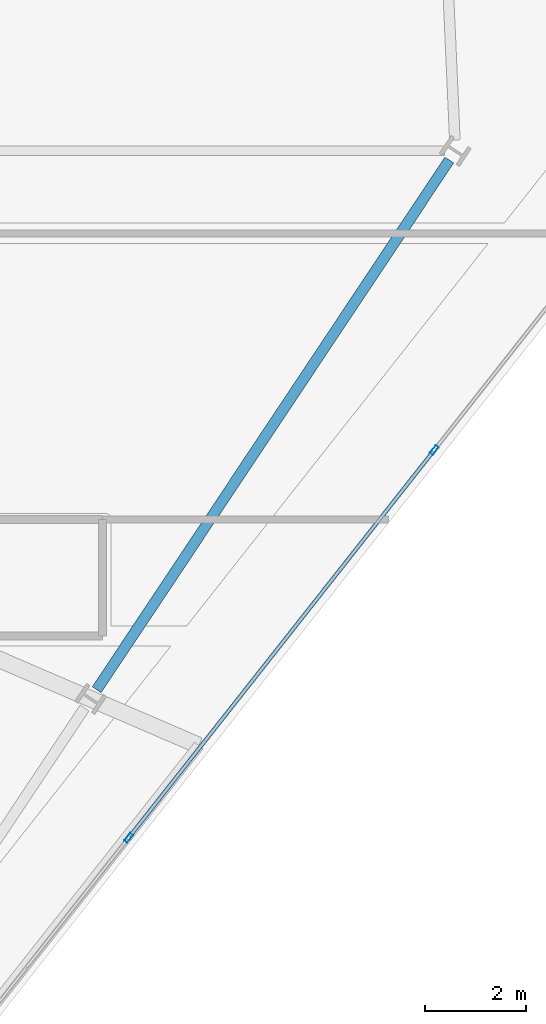
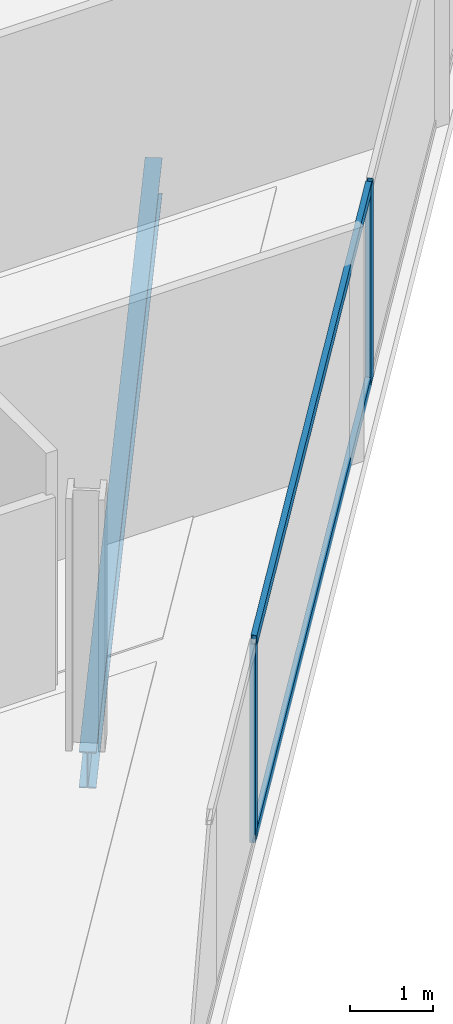
# One storey, part 11 of 28: 4 members, 1 beam, 1 element without a shape of its own.
"""IFC4 building model written with IfcOpenShell, lengths in metres."""

import ifcopenshell
import ifcopenshell.guid

model = None  # the IFC model being written
_history = None  # IfcOwnerHistory: only IFC2X3 demands one
_inside = {}  # id of a spatial element -> (the spatial element, [elements in it])
_under = {}  # id of a project, library or spatial element -> (it, [spatial elements below it])
_declared = {}  # id of a project -> (the project, [libraries it declares])
_typed = {}  # id of a type object -> (the type object, [elements of that type])
_made_of = {}  # id of a material, layer set ... -> (it, [elements and type objects made of it])


def new_model(schema):
    """Start an empty IFC model of exactly this schema.

    Asked for "IFC4X3", IfcOpenShell would pick the latest addendum, in which some entities
    have other attributes; the version numbers below select the first issue.
    IFC2X3 requires an IfcOwnerHistory on every rooted entity: one is made here for all.
    """
    global model, _history
    if schema == "IFC4X3":
        model = ifcopenshell.file(schema_version=(4, 3, 0, 0))
    else:
        model = ifcopenshell.file(schema=schema)
    _inside.clear()
    _under.clear()
    _declared.clear()
    _typed.clear()
    _made_of.clear()
    _history = None
    if model.schema == "IFC2X3":
        org = make("IfcOrganization", Name="unknown")
        user = make(
            "IfcPersonAndOrganization",
            ThePerson=make("IfcPerson", FamilyName="unknown"),
            TheOrganization=org,
        )
        app = make(
            "IfcApplication",
            ApplicationDeveloper=org,
            Version="unknown",
            ApplicationFullName="unknown",
            ApplicationIdentifier="unknown",
        )
        _history = make(
            "IfcOwnerHistory",
            OwningUser=user,
            OwningApplication=app,
            ChangeAction="ADDED",
            CreationDate=0,
        )
    return model


def make(cls, **values):
    """One entity of the class cls with the attributes given. An attribute that is None is left unset."""
    return model.create_entity(
        cls, **{name: value for name, value in values.items() if value is not None}
    )


def rooted(cls, **values):
    """An entity with a GlobalId (a new one), such as an element, a storey or a relation."""
    return make(cls, GlobalId=ifcopenshell.guid.new(), OwnerHistory=_history, **values)


def si_unit(unit_type, name, prefix=None):
    """IfcSIUnit, for example si_unit("LENGTHUNIT", "METRE", prefix="MILLI")."""
    return make("IfcSIUnit", UnitType=unit_type, Prefix=prefix, Name=name)


def assignment(units):
    """IfcUnitAssignment: the units of a project."""
    return None if units is None else make("IfcUnitAssignment", Units=units)


def point(xyz):
    """IfcCartesianPoint."""
    return None if xyz is None else make("IfcCartesianPoint", Coordinates=xyz)


def direction(xyz):
    """IfcDirection."""
    return None if xyz is None else make("IfcDirection", DirectionRatios=xyz)


def frame(location, z_axis=None, x_axis=None):
    """IfcAxis2Placement3D, a coordinate frame: its origin and axes. An axis left out is left unset."""
    return make(
        "IfcAxis2Placement3D",
        Location=point(location),
        Axis=direction(z_axis),
        RefDirection=direction(x_axis),
    )


def frame_2d(location, x_axis=None):
    """IfcAxis2Placement2D, a coordinate frame in the plane: its origin and x axis."""
    return make(
        "IfcAxis2Placement2D", Location=point(location), RefDirection=direction(x_axis)
    )


def origin():
    """The frame at (0, 0, 0) with its axes left unset."""
    return frame((0.0, 0.0, 0.0))


def origin_2d():
    """The frame at (0, 0) in the plane with its x axis left unset."""
    return frame_2d((0.0, 0.0))


def place(relative_to, where):
    """IfcLocalPlacement: puts the frame where relative to a parent placement (None: the world)."""
    return make(
        "IfcLocalPlacement", PlacementRelTo=relative_to, RelativePlacement=where
    )


def context(
    kind, dimensions, precision=None, world=None, true_north=None, identifier=None
):
    """IfcGeometricRepresentationContext, for example the 3D "Model" context."""
    return make(
        "IfcGeometricRepresentationContext",
        ContextIdentifier=identifier,
        ContextType=kind,
        CoordinateSpaceDimension=dimensions,
        Precision=precision,
        WorldCoordinateSystem=world,
        TrueNorth=true_north,
    )


def subcontext(parent, identifier, kind, view, scale=None):
    """IfcGeometricRepresentationSubContext, for example "Body" below "Model"."""
    return make(
        "IfcGeometricRepresentationSubContext",
        ContextIdentifier=identifier,
        ContextType=kind,
        ParentContext=parent,
        TargetScale=scale,
        TargetView=view,
    )


def project(units=None, contexts=None):
    """IfcProject with its units and contexts."""
    return rooted(
        "IfcProject",
        Name="project",
        RepresentationContexts=contexts,
        UnitsInContext=assignment(units),
    )


def spatial(cls, under=None, at=None, **own):
    """A site, building, storey or space (cls), placed at a placement, below another one or the project."""
    s = rooted(cls, ObjectPlacement=at, **own)
    if under is not None:
        _under.setdefault(under.id(), (under, []))[1].append(s)
    return s


def profile(cls, at=None, kind="AREA", **sizes):
    """A parametric profile (cls). Its sizes go by their IFC names, for example OverallWidth=200.0."""
    return make(cls, ProfileType=kind, Position=at, **sizes)


def hollow_rectangle(**sizes):
    """IfcRectangleHollowProfileDef."""
    return profile("IfcRectangleHollowProfileDef", **sizes)


def i_section(**sizes):
    """IfcIShapeProfileDef."""
    return profile("IfcIShapeProfileDef", **sizes)


def extrude(swept, where, along, depth):
    """IfcExtrudedAreaSolid: the profile swept, set in the frame where, extruded along a direction by depth."""
    return make(
        "IfcExtrudedAreaSolid",
        SweptArea=swept,
        Position=where,
        ExtrudedDirection=direction(along),
        Depth=depth,
    )


def shape(context_of_items, identifier, shape_type, items):
    """IfcShapeRepresentation: the items that make up one representation, for example the "Body"."""
    return make(
        "IfcShapeRepresentation",
        ContextOfItems=context_of_items,
        RepresentationIdentifier=identifier,
        RepresentationType=shape_type,
        Items=items,
    )


def material(Name=None, Category=None):
    """IfcMaterial."""
    return make("IfcMaterial", Name=Name, Category=Category)


def material_profile(
    of_material, cross_section, Name=None, Category=None, Priority=None
):
    """IfcMaterialProfile: a cross section and its material."""
    return make(
        "IfcMaterialProfile",
        Name=Name,
        Material=of_material,
        Profile=cross_section,
        Priority=Priority,
        Category=Category,
    )


def profile_set(profiles, Name=None, composite=None):
    """IfcMaterialProfileSet."""
    return make(
        "IfcMaterialProfileSet",
        Name=Name,
        MaterialProfiles=profiles,
        CompositeProfile=composite,
    )


def made_of(thing, what):
    """Note that an element or type object is made of a material, layer set ...; save() writes the relation."""
    if what is not None:
        _made_of.setdefault(what.id(), (what, []))[1].append(thing)
    return thing


def type_object(cls, material=None, **own):
    """A type object (cls), such as IfcWallType, which elements share."""
    return made_of(rooted(cls, **own), material)


def element(
    cls,
    number,
    at=None,
    inside=None,
    cuts=None,
    type_object=None,
    material=None,
    context=None,
    identifier="Body",
    shape_type=None,
    held_by="IfcProductDefinitionShape",
    body=None,
    shapes=None,
    **own,
):
    """One element of the class cls, such as IfcWall. Its Tag is "e" and its number.

    at: its placement. inside: the storey or other place that contains it. cuts: it is an
    opening in that element (IfcRelVoidsElement). A single representation is given by context,
    identifier, shape_type and body (its items); several are given by shapes. held_by: the class
    of the entity that holds the representations. save() writes the other relations.
    """
    e = rooted(cls, Tag="e%d" % number, ObjectPlacement=at, **own)
    if body is not None:
        shapes = [shape(context, identifier, shape_type, body)]
    if shapes is not None:
        e.Representation = make(held_by, Representations=shapes)
    if inside is not None:
        _inside.setdefault(inside.id(), (inside, []))[1].append(e)
    if cuts is not None:
        rooted(
            "IfcRelVoidsElement", RelatingBuildingElement=cuts, RelatedOpeningElement=e
        )
    if type_object is not None:
        _typed.setdefault(type_object.id(), (type_object, []))[1].append(e)
    return made_of(e, material)


def aggregate(whole, parts):
    """IfcRelAggregates: a whole, such as a stair, and the parts it consists of."""
    return rooted("IfcRelAggregates", RelatingObject=whole, RelatedObjects=parts)


def save(model, path):
    """Write the relations noted so far, then the file.

    IfcRelAggregates (storeys below a building ...), IfcRelContainedInSpatialStructure (elements
    in a storey), IfcRelDefinesByType, IfcRelAssociatesMaterial and IfcRelDeclares: one each for
    every whole, place, type object, material and project.
    """
    for whole, parts in _under.values():
        aggregate(whole, parts)
    for where, things in _inside.values():
        rooted(
            "IfcRelContainedInSpatialStructure",
            RelatedElements=things,
            RelatingStructure=where,
        )
    for kind, things in _typed.values():
        rooted("IfcRelDefinesByType", RelatedObjects=things, RelatingType=kind)
    for what, things in _made_of.values():
        rooted("IfcRelAssociatesMaterial", RelatedObjects=things, RelatingMaterial=what)
    for by, libraries in _declared.values():
        rooted("IfcRelDeclares", RelatingContext=by, RelatedDefinitions=libraries)
    model.write(path)


model = new_model("IFC4")

# Units and contexts
model_context = context("Model", 3, precision=1e-05, world=origin(), true_north=direction((0.0, 1.0)))
body_context = subcontext(model_context, "Body", "Model", "MODEL_VIEW")
ifc_project = project(units=[si_unit("LENGTHUNIT", "METRE"), si_unit("AREAUNIT", "SQUARE_METRE"), si_unit("VOLUMEUNIT", "CUBIC_METRE"), si_unit("PLANEANGLEUNIT", "RADIAN"), si_unit("MASSUNIT", "GRAM", prefix="KILO")], contexts=[model_context])

# Site, building, storey
site_placement = place(None, origin())
site = spatial("IfcSite", under=ifc_project, at=site_placement, CompositionType="ELEMENT")
building_placement = place(site_placement, origin())
building = spatial("IfcBuilding", under=site, at=building_placement, Name="Haldenkirk Collegiate Tower", CompositionType="ELEMENT")
storey_placement = place(building_placement, frame((0.0, 0.0, 202.199951171875)))
storey = spatial("IfcBuildingStorey", under=building, at=storey_placement, Name="L50", CompositionType="ELEMENT", Elevation=202.199951171875)

# Beam
ifc_material_1 = material(Name="Steel ASTM A992 Grade 50", Category="steel")
ifc_material_profile_1 = material_profile(ifc_material_1, i_section(OverallWidth=0.2099609375, OverallDepth=0.537109375, WebThickness=0.010986328125, FlangeThickness=0.017333984375, at=origin_2d()), Name="W21X68")
ifc_profile_set_1 = profile_set([ifc_material_profile_1], Name="Steel ASTM A992 Grade 50")
beam_type = type_object("IfcBeamType", Name="BM-SPANDREL-W21X68", PredefinedType="SPANDREL", material=ifc_profile_set_1)
beam_placement = place(storey_placement, frame((53.6845703125, 14.48876953125, -0.54833984375), z_axis=(0.554125989098, 0.832432813028, 0.0), x_axis=(-0.832432813028, 0.554125989098, 0.0)))
element("IfcBeam", 1, at=beam_placement, inside=storey, type_object=beam_type, Name="L50 perimeter spandrel beam 03", PredefinedType="SPANDREL", context=body_context, shape_type="SweptSolid", body=[
    extrude(i_section(OverallWidth=0.2099609375, OverallDepth=0.537109375, WebThickness=0.010986328125, FlangeThickness=0.017333984375, at=origin_2d()), origin(), (0.0, 0.0, 1.0), 12.56201171875),
])

# Curtain wall, members
ifc_material_2 = material(Name="Anodised architectural bronze aluminium", Category="aluminium")
curtain_wall_type = type_object("IfcCurtainWallType", Name="CW-SYS2-CONCAVE", PredefinedType="USERDEFINED", material=ifc_material_2)
curtain_wall_placement = place(storey_placement, origin())
curtain_wall = element("IfcCurtainWall", 2, at=curtain_wall_placement, inside=storey, type_object=curtain_wall_type, Name="L50 South concave recessed bronze-anodised curtain wall", ObjectType="UNITISED CURTAIN WALL", PredefinedType="USERDEFINED")
ifc_material_profile_2 = material_profile(ifc_material_2, hollow_rectangle(XDim=0.074951171875, YDim=0.18994140625, WallThickness=0.0048828125, at=origin_2d()), Name="CW-MUL-02")
ifc_profile_set_2 = profile_set([ifc_material_profile_2], Name="Anodised architectural bronze aluminium")
member_type_1 = type_object("IfcMemberType", Name="CW-MUL-02", PredefinedType="MULLION", material=ifc_profile_set_2)
member_1_placement = place(storey_placement, frame((60.349609375, 19.219482421875, 0.0), z_axis=(0.0, 0.0, 1.0), x_axis=(0.7853168725, -0.619094023365, 0.0)))
member_1 = element("IfcMember", 3, at=member_1_placement, type_object=member_type_1, Name="CW-02 mullion 2", PredefinedType="MULLION", context=body_context, shape_type="SweptSolid", body=[
    extrude(hollow_rectangle(XDim=0.074951171875, YDim=0.18994140625, WallThickness=0.0048828125, at=origin_2d()), origin(), (0.0, 0.0, 1.0), 2.927978515625),
])
member_2_placement = place(storey_placement, frame((54.3134765625, 11.562744140625, 0.0), z_axis=(0.0, 0.0, 1.0), x_axis=(0.7853168725, -0.619094023365, 0.0)))
member_2 = element("IfcMember", 4, at=member_2_placement, type_object=member_type_1, Name="CW-02 mullion 3", PredefinedType="MULLION", context=body_context, shape_type="SweptSolid", body=[
    extrude(hollow_rectangle(XDim=0.074951171875, YDim=0.18994140625, WallThickness=0.0048828125, at=origin_2d()), origin(), (0.0, 0.0, 1.0), 2.927978515625),
])
ifc_material_profile_3 = material_profile(ifc_material_2, hollow_rectangle(XDim=0.074951171875, YDim=0.159912109375, WallThickness=0.0048828125, at=origin_2d()), Name="CW-TRN-02")
ifc_profile_set_3 = profile_set([ifc_material_profile_3], Name="Anodised architectural bronze aluminium")
member_type_2 = type_object("IfcMemberType", Name="CW-TRN-02", PredefinedType="USERDEFINED", material=ifc_profile_set_3)
member_3_placement = place(storey_placement, frame((60.326416015625, 19.190185546875, 0.03759765625), z_axis=(-0.619084510513, -0.785324371736, 0.0), x_axis=(0.785324371736, -0.619084510513, 0.0)))
member_3 = element("IfcMember", 5, at=member_3_placement, type_object=member_type_2, Name="CW-02 transom 2.1", ObjectType="TRANSOM", PredefinedType="USERDEFINED", context=body_context, shape_type="SweptSolid", body=[
    extrude(hollow_rectangle(XDim=0.074951171875, YDim=0.159912109375, WallThickness=0.0048828125, at=origin_2d()), origin(), (0.0, 0.0, 1.0), 9.675048828125),
])
member_4_placement = place(storey_placement, frame((60.326416015625, 19.190185546875, 2.890625), z_axis=(-0.619084510513, -0.785324371736, 0.0), x_axis=(0.785324371736, -0.619084510513, 0.0)))
member_4 = element("IfcMember", 6, at=member_4_placement, type_object=member_type_2, Name="CW-02 transom 2.2", ObjectType="TRANSOM", PredefinedType="USERDEFINED", context=body_context, shape_type="SweptSolid", body=[
    extrude(hollow_rectangle(XDim=0.074951171875, YDim=0.159912109375, WallThickness=0.0048828125, at=origin_2d()), origin(), (0.0, 0.0, 1.0), 9.675048828125),
])
aggregate(curtain_wall, [member_1, member_2, member_3, member_4])

save(model, "model.ifc")
